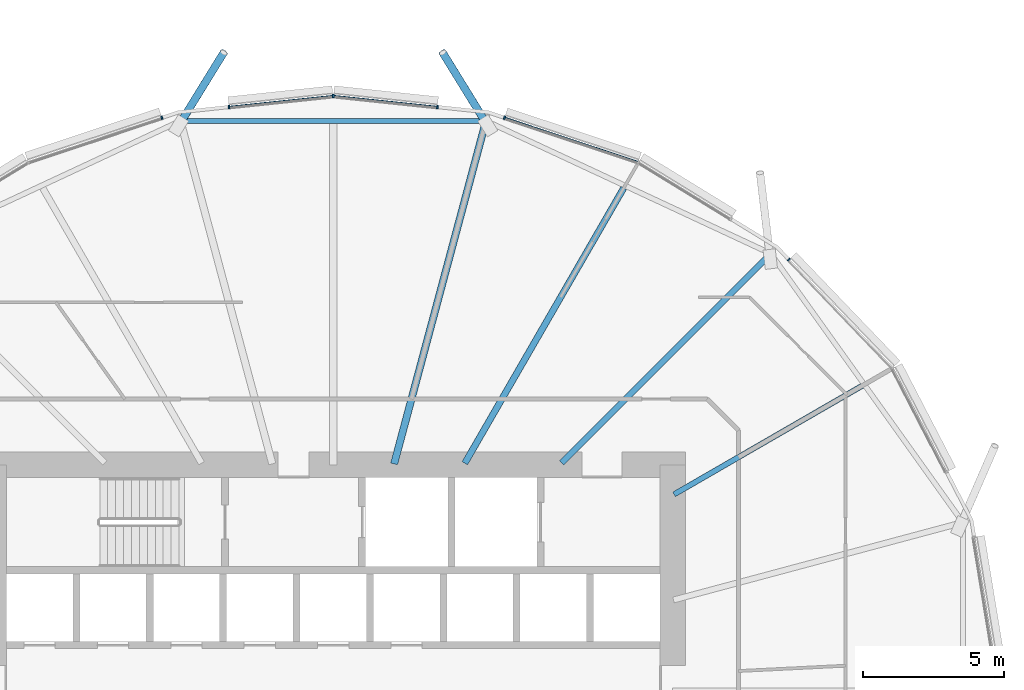
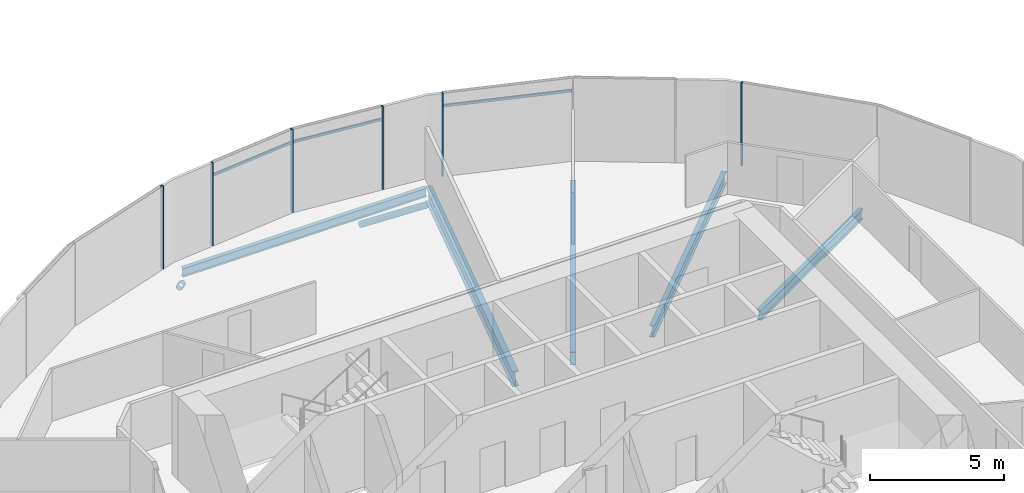
# One storey, part 9 of 38: 11 members, 5 beams, 1 element without a shape of its own.
"""IFC4 building model written with IfcOpenShell, lengths in metres."""

from ifc_helpers import new_model, si_unit, direction, frame, origin, origin_2d, place, context, subcontext, project, spatial, rectangle, hollow_circle, i_section, extrude, clip, halfspace, material, material_profile, profile_set, type_object, element, aggregate, save


model = new_model("IFC4")

# Units and contexts
model_context = context("Model", 3, precision=1e-05, world=origin(), true_north=direction((0.0, 1.0)))
body_context = subcontext(model_context, "Body", "Model", "MODEL_VIEW")
ifc_project = project(units=[si_unit("LENGTHUNIT", "METRE"), si_unit("AREAUNIT", "SQUARE_METRE"), si_unit("VOLUMEUNIT", "CUBIC_METRE"), si_unit("PLANEANGLEUNIT", "RADIAN"), si_unit("MASSUNIT", "GRAM", prefix="KILO")], contexts=[model_context])

# Site, building, storey
site_placement = place(None, origin())
site = spatial("IfcSite", under=ifc_project, at=site_placement, CompositionType="ELEMENT")
building_placement = place(site_placement, origin())
building = spatial("IfcBuilding", under=site, at=building_placement, Name="Rimbun Link Towers", CompositionType="ELEMENT")
storey_placement = place(building_placement, frame((0.0, 0.0, 71.800048828125)))
storey = spatial("IfcBuildingStorey", under=building, at=storey_placement, Name="L17", CompositionType="ELEMENT", Elevation=71.800048828125)

# Curtain wall, members
ifc_material_1 = material(Name="Aluminium 6063-T6 and low-iron glass", Category="aluminium")
curtain_wall_type = type_object("IfcCurtainWallType", Name="CW1 unitised vision wall", PredefinedType="NOTDEFINED", material=ifc_material_1)
curtain_wall_placement = place(storey_placement, origin())
curtain_wall = element("IfcCurtainWall", 1, at=curtain_wall_placement, inside=storey, type_object=curtain_wall_type, Name="CW1 L17 T1", PredefinedType="NOTDEFINED")
ifc_material_2 = material(Name="Aluminium 6063-T6", Category="aluminium")
ifc_material_profile_1 = material_profile(ifc_material_2, rectangle(XDim=0.1201171875, YDim=0.06005859375, at=origin_2d()), Name="MULLION 60X120")
ifc_profile_set_1 = profile_set([ifc_material_profile_1], Name="Aluminium 6063-T6")
member_type_1 = type_object("IfcMemberType", Name="CW1 mullion 60X120", PredefinedType="MULLION", material=ifc_profile_set_1)
member_1_placement = place(storey_placement, frame((-15.643798828125, 15.256103515625, 0.0), z_axis=(0.0, 0.0, 1.0), x_axis=(0.721854427226, 0.692044930546, 0.0)))
member_1 = element("IfcMember", 2, at=member_1_placement, type_object=member_type_1, Name="CW1 mullion", PredefinedType="MULLION", context=body_context, shape_type="SweptSolid", body=[
    extrude(rectangle(XDim=0.1201171875, YDim=0.06005859375, at=origin_2d()), origin(), (0.0, 0.0, 1.0), 3.800048828125),
])
member_2_placement = place(storey_placement, frame((-25.695068359375, 20.26953125, 0.0), z_axis=(0.0, 0.0, 1.0), x_axis=(0.314555783293, 0.949238989505, 0.0)))
member_2 = element("IfcMember", 3, at=member_2_placement, type_object=member_type_1, Name="CW1 mullion", PredefinedType="MULLION", context=body_context, shape_type="SweptSolid", body=[
    extrude(rectangle(XDim=0.1201171875, YDim=0.06005859375, at=origin_2d()), origin(), (0.0, 0.0, 1.0), 3.800048828125),
])
member_3_placement = place(storey_placement, frame((-31.75, 21.037109375, 0.0), z_axis=(0.0, 0.0, 1.0), x_axis=(0.0, 1.0, 0.0)))
member_3 = element("IfcMember", 4, at=member_3_placement, type_object=member_type_1, Name="CW1 mullion", PredefinedType="MULLION", context=body_context, shape_type="SweptSolid", body=[
    extrude(rectangle(XDim=0.1201171875, YDim=0.06005859375, at=origin_2d()), origin(), (0.0, 0.0, 1.0), 3.800048828125),
])
member_4_placement = place(storey_placement, frame((-28.0673828125, 20.6494140625, 0.0), z_axis=(0.0, 0.0, 1.0), x_axis=(0.104734976112, 0.994500168315, 0.0)))
member_4 = element("IfcMember", 5, at=member_4_placement, type_object=member_type_1, Name="CW1 mullion", PredefinedType="MULLION", context=body_context, shape_type="SweptSolid", body=[
    extrude(rectangle(XDim=0.1201171875, YDim=0.06005859375, at=origin_2d()), origin(), (0.0, 0.0, 1.0), 3.800048828125),
])
member_5_placement = place(storey_placement, frame((-35.4326171875, 20.6494140625, 0.0), z_axis=(0.0, 0.0, 1.0), x_axis=(-0.104734976112, 0.994500168315, 0.0)))
member_5 = element("IfcMember", 6, at=member_5_placement, type_object=member_type_1, Name="CW1 mullion", PredefinedType="MULLION", context=body_context, shape_type="SweptSolid", body=[
    extrude(rectangle(XDim=0.1201171875, YDim=0.06005859375, at=origin_2d()), origin(), (0.0, 0.0, 1.0), 3.800048828125),
])
member_6_placement = place(storey_placement, frame((-37.804931640625, 20.26953125, 0.0), z_axis=(0.0, 0.0, 1.0), x_axis=(-0.314555783293, 0.949238989505, 0.0)))
member_6 = element("IfcMember", 7, at=member_6_placement, type_object=member_type_1, Name="CW1 mullion", PredefinedType="MULLION", context=body_context, shape_type="SweptSolid", body=[
    extrude(rectangle(XDim=0.1201171875, YDim=0.06005859375, at=origin_2d()), origin(), (0.0, 0.0, 1.0), 3.800048828125),
])
ifc_material_3 = material(Name="Aluminium 6063-T6", Category="aluminium")
ifc_material_profile_2 = material_profile(ifc_material_3, rectangle(XDim=0.06005859375, YDim=0.1201171875, at=origin_2d()), Name="TRANSOM 60X120")
ifc_profile_set_2 = profile_set([ifc_material_profile_2], Name="Aluminium 6063-T6")
member_type_2 = type_object("IfcMemberType", Name="CW1 transom 60X120", PredefinedType="USERDEFINED", material=ifc_profile_set_2)
member_7_placement = place(storey_placement, frame((-25.667236328125, 20.25830078125, 3.199951171875), z_axis=(0.949232441731, -0.314575541906, 0.0), x_axis=(0.314575541906, 0.949232441731, 0.0)))
member_7 = element("IfcMember", 8, at=member_7_placement, type_object=member_type_2, Name="CW1 transom", ObjectType="TRANSOM", PredefinedType="USERDEFINED", context=body_context, shape_type="SweptSolid", body=[
    extrude(rectangle(XDim=0.06005859375, YDim=0.1201171875, at=origin_2d()), origin(), (0.0, 0.0, 1.0), 4.921875),
])
member_8_placement = place(storey_placement, frame((-31.714111328125, 21.031494140625, 3.199951171875), z_axis=(0.994501037845, -0.104726719255, 0.0), x_axis=(0.104726719255, 0.994501037845, 0.0)))
member_8 = element("IfcMember", 9, at=member_8_placement, type_object=member_type_2, Name="CW1 transom", ObjectType="TRANSOM", PredefinedType="USERDEFINED", context=body_context, shape_type="SweptSolid", body=[
    extrude(rectangle(XDim=0.06005859375, YDim=0.1201171875, at=origin_2d()), origin(), (0.0, 0.0, 1.0), 3.63671875),
])
member_9_placement = place(storey_placement, frame((-35.402587890625, 20.650634765625, 3.199951171875), z_axis=(0.994501037845, 0.104726719255, 0.0), x_axis=(-0.104726719255, 0.994501037845, 0.0)))
member_9 = element("IfcMember", 10, at=member_9_placement, type_object=member_type_2, Name="CW1 transom", ObjectType="TRANSOM", PredefinedType="USERDEFINED", context=body_context, shape_type="SweptSolid", body=[
    extrude(rectangle(XDim=0.06005859375, YDim=0.1201171875, at=origin_2d()), origin(), (0.0, 0.0, 1.0), 3.63671875),
])
aggregate(curtain_wall, [member_1, member_2, member_3, member_4, member_5, member_6, member_7, member_8, member_9])

# Members
ifc_material_4 = material(Name="Steel S355J2H", Category="steel")
ifc_material_profile_3 = material_profile(ifc_material_4, hollow_circle(Radius=0.136474609375, WallThickness=0.012451171875, at=origin_2d()), Name="CHS 273x12.5")
ifc_profile_set_3 = profile_set([ifc_material_profile_3], Name="Steel S355J2H")
member_type_3 = type_object("IfcMemberType", Name="Floor edge link CHS 273x12.5", PredefinedType="BRACE", material=ifc_profile_set_3)
for number, where, z_axis, x_axis, name in (
    (11, (-26.36181640625, 20.1083984375, -0.9580078125), (-0.43974372191, 0.712947701458, -0.54619688211), (-0.851121456128, -0.524968824711, 0.0), "Floor edge link T1 L17 05"),
    (12, (-37.13818359375, 20.1083984375, -0.9580078125), (0.43974372191, 0.712947701458, -0.54619688211), (-0.851121456128, 0.524968824711, 0.0), "Floor edge link T1 L17 07"),
):
    element("IfcMember", number, at=place(storey_placement, frame(where, z_axis=z_axis, x_axis=x_axis)), inside=storey, type_object=member_type_3, Name=name, PredefinedType="BRACE", context=body_context, shape_type="Clipping", body=[
        clip(extrude(hollow_circle(Radius=0.136474609375, WallThickness=0.012451171875, at=origin_2d()), frame((0.0, 0.0, -0.43701171875)), (0.0, 0.0, 1.0), 3.906982421875), halfspace(frame((0.0, 0.0, -0.205810546875), z_axis=(0.0, 0.837656830673, -0.54619688211)), False)),
    ])

# Beams
ifc_material_5 = material(Name="Steel S355J2", Category="steel")
ifc_material_profile_4 = material_profile(ifc_material_5, i_section(OverallWidth=0.177978515625, OverallDepth=0.406494140625, WebThickness=0.0078125, FlangeThickness=0.0126953125, at=origin_2d()), Name="UB 406x178x60")
ifc_profile_set_4 = profile_set([ifc_material_profile_4], Name="Steel S355J2")
beam_type_1 = type_object("IfcBeamType", Name="UB 406x178x60", PredefinedType="BEAM", material=ifc_profile_set_4)
beam_1_placement = place(storey_placement, frame((-26.481201171875, 20.15673828125, -0.36328125), z_axis=(-1.0, 0.0, 0.0), x_axis=(0.0, -1.0, 0.0)))
element("IfcBeam", 13, at=beam_1_placement, inside=storey, type_object=beam_type_1, Name="Edge beam T1 L17 05-07", PredefinedType="BEAM", context=body_context, shape_type="SweptSolid", body=[
    extrude(i_section(OverallWidth=0.177978515625, OverallDepth=0.406494140625, WebThickness=0.0078125, FlangeThickness=0.0126953125, at=origin_2d()), origin(), (0.0, 0.0, 1.0), 10.53759765625),
])
ifc_material_6 = material(Name="Steel S355J2", Category="steel")
ifc_material_profile_5 = material_profile(ifc_material_6, i_section(OverallWidth=0.18994140625, OverallDepth=0.453369140625, WebThickness=0.008544921875, FlangeThickness=0.0126953125, at=origin_2d()), Name="UB 457x191x67")
ifc_profile_set_5 = profile_set([ifc_material_profile_5], Name="Steel S355J2")
beam_type_2 = type_object("IfcBeamType", Name="UB 457x191x67", PredefinedType="BEAM", material=ifc_profile_set_5)
beam_2_placement = place(storey_placement, frame((-19.70166015625, 6.9560546875, -0.38671875), z_axis=(0.866012339475, 0.500022627366, 0.0), x_axis=(-0.500022627366, 0.866012339475, 0.0)))
element("IfcBeam", 14, at=beam_2_placement, inside=storey, type_object=beam_type_2, Name="Radial beam T1 L17 02", PredefinedType="BEAM", context=body_context, shape_type="SweptSolid", body=[
    extrude(i_section(OverallWidth=0.18994140625, OverallDepth=0.453369140625, WebThickness=0.008544921875, FlangeThickness=0.0126953125, at=origin_2d()), origin(), (0.0, 0.0, 1.0), 7.674072265625),
])
ifc_material_7 = material(Name="Steel S355J2", Category="steel")
ifc_material_profile_6 = material_profile(ifc_material_7, i_section(OverallWidth=0.209228515625, OverallDepth=0.533203125, WebThickness=0.010009765625, FlangeThickness=0.015625, at=origin_2d()), Name="UB 533x210x92")
ifc_profile_set_6 = profile_set([ifc_material_profile_6], Name="Steel S355J2")
beam_type_3 = type_object("IfcBeamType", Name="UB 533x210x92", PredefinedType="BEAM", material=ifc_profile_set_6)
beam_3_placement = place(storey_placement, frame((-23.67529296875, 8.07470703125, -0.426513671875), z_axis=(0.707106781187, 0.707106781187, 0.0), x_axis=(-0.707106781187, 0.707106781187, 0.0)))
element("IfcBeam", 15, at=beam_3_placement, inside=storey, type_object=beam_type_3, Name="Radial beam T1 L17 03", PredefinedType="BEAM", context=body_context, shape_type="SweptSolid", body=[
    extrude(i_section(OverallWidth=0.209228515625, OverallDepth=0.533203125, WebThickness=0.010009765625, FlangeThickness=0.015625, at=origin_2d()), origin(), (0.0, 0.0, 1.0), 10.45263671875),
])
ifc_material_8 = material(Name="Steel S355J2", Category="steel")
ifc_material_profile_7 = material_profile(ifc_material_8, i_section(OverallWidth=0.2275390625, OverallDepth=0.6025390625, WebThickness=0.010498046875, FlangeThickness=0.014892578125, at=origin_2d()), Name="UB 610x229x101")
ifc_profile_set_7 = profile_set([ifc_material_profile_7], Name="Steel S355J2")
beam_type_4 = type_object("IfcBeamType", Name="UB 610x229x101", PredefinedType="BEAM", material=ifc_profile_set_7)
beam_4_placement = place(storey_placement, frame((-27.097900390625, 8.057861328125, -0.46142578125), z_axis=(0.50001148964, 0.866018770136, 0.0), x_axis=(-0.866018770136, 0.50001148964, 0.0)))
element("IfcBeam", 16, at=beam_4_placement, inside=storey, type_object=beam_type_4, Name="Radial beam T1 L17 04", PredefinedType="BEAM", context=body_context, shape_type="SweptSolid", body=[
    extrude(i_section(OverallWidth=0.2275390625, OverallDepth=0.6025390625, WebThickness=0.010498046875, FlangeThickness=0.014892578125, at=origin_2d()), origin(), (0.0, 0.0, 1.0), 11.235595703125),
])
ifc_material_9 = material(Name="Steel S355J2", Category="steel")
ifc_material_profile_8 = material_profile(ifc_material_9, i_section(OverallWidth=0.253662109375, OverallDepth=0.68359375, WebThickness=0.012451171875, FlangeThickness=0.01904296875, at=origin_2d()), Name="UB 686x254x140")
ifc_profile_set_8 = profile_set([ifc_material_profile_8], Name="Steel S355J2")
beam_type_5 = type_object("IfcBeamType", Name="UB 686x254x140", PredefinedType="BEAM", material=ifc_profile_set_8)
beam_5_placement = place(storey_placement, frame((-29.597412109375, 8.03369140625, -0.501953125), z_axis=(0.258813870741, 0.96592721274, 0.0), x_axis=(-0.96592721274, 0.258813870741, 0.0)))
element("IfcBeam", 17, at=beam_5_placement, inside=storey, type_object=beam_type_5, Name="Radial beam T1 L17 05", PredefinedType="BEAM", context=body_context, shape_type="SweptSolid", body=[
    extrude(i_section(OverallWidth=0.253662109375, OverallDepth=0.68359375, WebThickness=0.012451171875, FlangeThickness=0.01904296875, at=origin_2d()), origin(), (0.0, 0.0, 1.0), 12.55078125),
])

save(model, "model.ifc")
